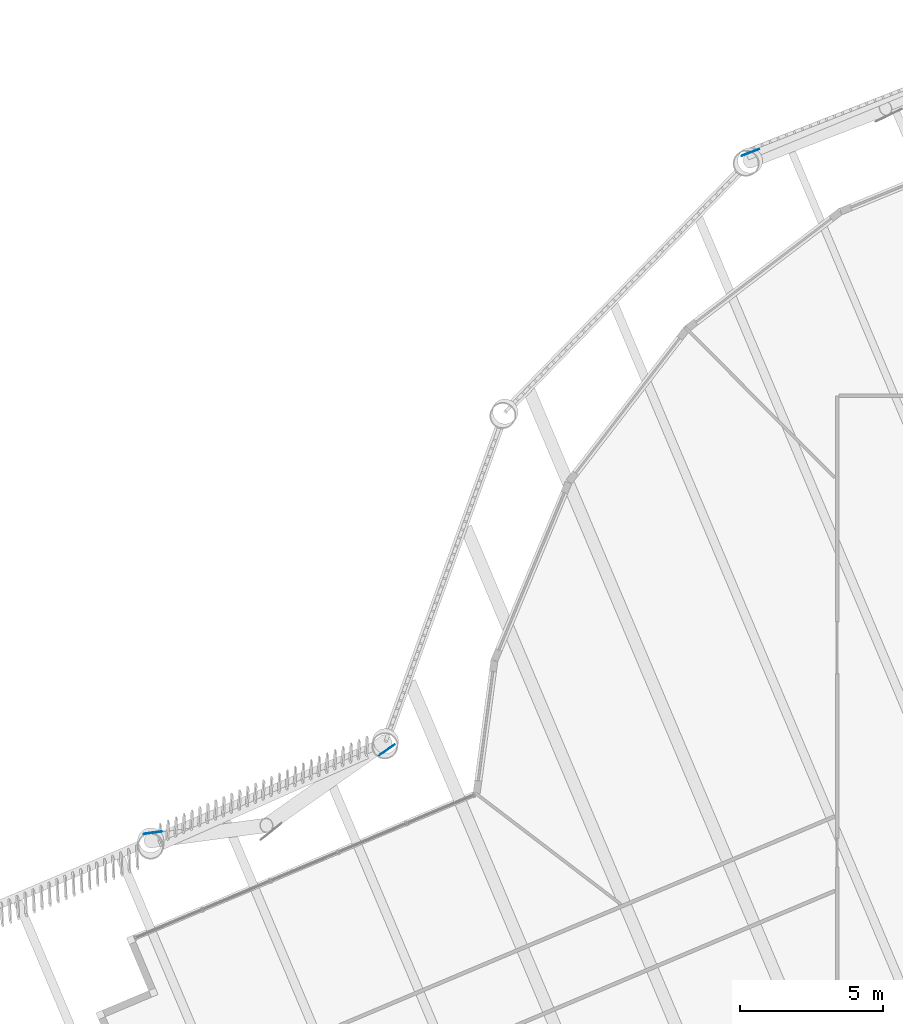
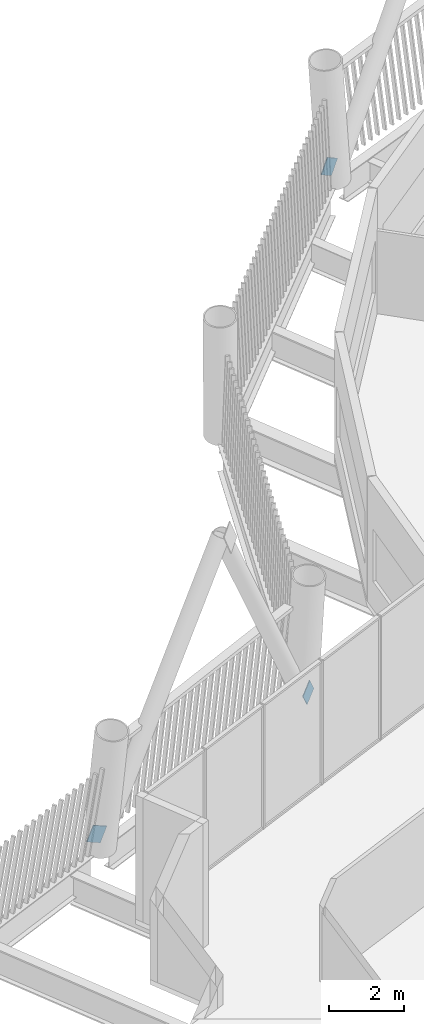
# One storey, part 26 of 35: 3 discrete accessories.
"""IFC4 building model written with IfcOpenShell, lengths in metres."""

from ifc_helpers import new_model, si_unit, direction, frame, origin, origin_2d, place, context, subcontext, project, spatial, rectangle, extrude, material, material_profile, profile_set, type_object, element, save


model = new_model("IFC4")

# Units and contexts
model_context = context("Model", 3, precision=1e-05, world=origin(), true_north=direction((0.0, 1.0)))
body_context = subcontext(model_context, "Body", "Model", "MODEL_VIEW")
ifc_project = project(units=[si_unit("LENGTHUNIT", "METRE"), si_unit("AREAUNIT", "SQUARE_METRE"), si_unit("VOLUMEUNIT", "CUBIC_METRE"), si_unit("PLANEANGLEUNIT", "RADIAN"), si_unit("MASSUNIT", "GRAM", prefix="KILO")], contexts=[model_context])

# Site, building, storey
site_placement = place(None, origin())
site = spatial("IfcSite", under=ifc_project, at=site_placement, CompositionType="ELEMENT")
building_placement = place(site_placement, origin())
building = spatial("IfcBuilding", under=site, at=building_placement, Name="Tarsis Ring Headquarters", CompositionType="ELEMENT")
storey_placement = place(building_placement, frame((0.0, 0.0, 377.60009765625)))
storey = spatial("IfcBuildingStorey", under=building, at=storey_placement, Name="L89", CompositionType="ELEMENT", Elevation=377.60009765625)

# Discrete accessories
ifc_material = material(Name="Structural steel S355", Category="steel")
ifc_material_profile = material_profile(ifc_material, rectangle(XDim=0.02490234375, YDim=0.5, at=origin_2d()), Name="PL 25x500")
ifc_profile_set = profile_set([ifc_material_profile], Name="Structural steel S355")
discrete_accessory_type = type_object("IfcDiscreteAccessoryType", Name="Gusset plate Exo brace 25", PredefinedType="BRACKET", material=ifc_profile_set)
for number, where, z_axis, x_axis, name in (
    (1, (-16.15673828125, 24.453369140625, 0.0), (0.483441489562, 0.187516698982, 0.855056614367), (-0.361628095526, 0.932322433778, 0.0), "Gusset plate GP5"),
    (2, (-28.6298828125, 3.69921875, 0.0), (-0.423390874144, -0.297887466237, 0.855571870243), (0.575423304365, -0.817855745712, 0.0), "Gusset plate GP5"),
    (3, (-37.02001953125, 0.72021484375, 0.0), (0.433151013765, 0.057134913879, 0.899508644144), (-0.130772548398, 0.991412396829, 0.0), "Gusset plate GP5"),
):
    element("IfcDiscreteAccessory", number, at=place(storey_placement, frame(where, z_axis=z_axis, x_axis=x_axis)), inside=storey, type_object=discrete_accessory_type, Name=name, PredefinedType="BRACKET", context=body_context, shape_type="SweptSolid", body=[
        extrude(rectangle(XDim=0.02490234375, YDim=0.5, at=origin_2d()), origin(), (0.0, 0.0, 1.0), 0.5),
    ])

save(model, "model.ifc")
